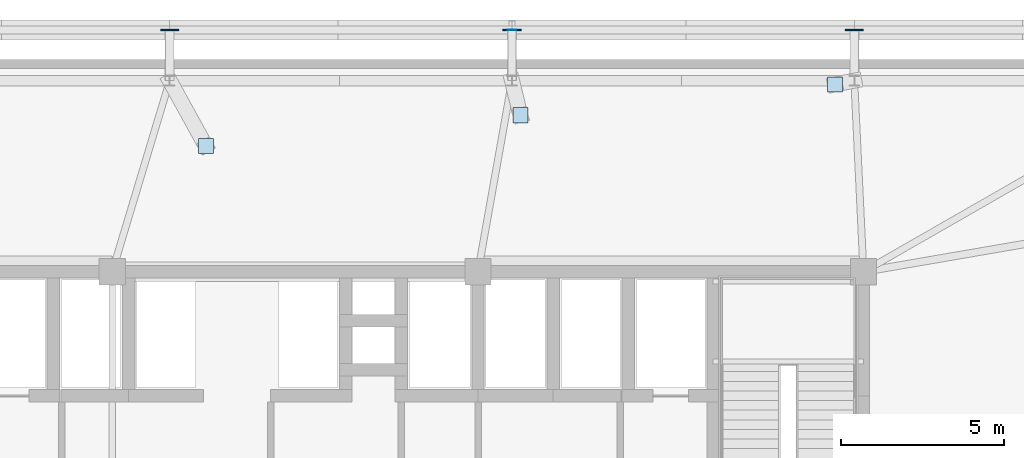
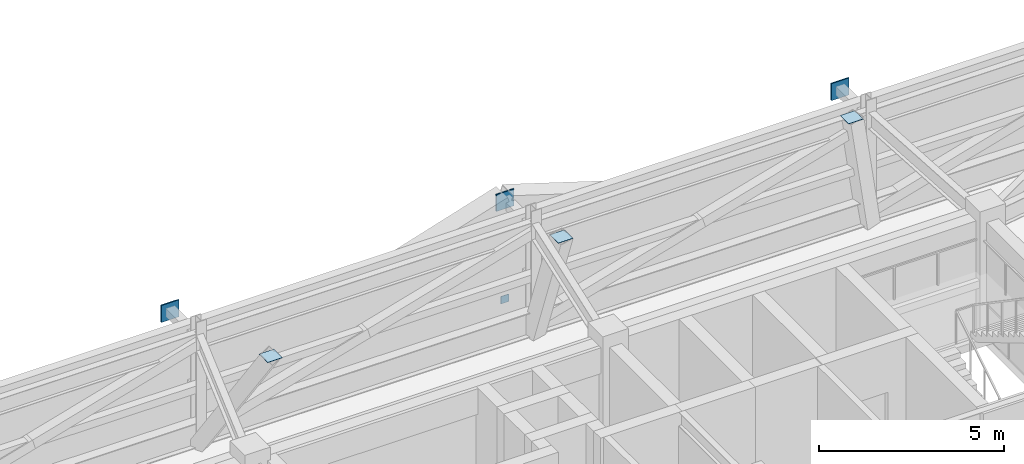
# One storey, part 19 of 24: 7 plates.
"""IFC4 building model written with IfcOpenShell, lengths in metres."""

from ifc_helpers import new_model, si_unit, direction, frame, origin, origin_2d, place, context, subcontext, project, spatial, rectangle, extrude, source, transform, mapped, material, layer, layer_set, type_object, element, save


model = new_model("IFC4")

# Units and contexts
model_context = context("Model", 3, precision=1e-05, world=origin(), true_north=direction((0.0, 1.0)))
body_context = subcontext(model_context, "Body", "Model", "MODEL_VIEW")
ifc_project = project(units=[si_unit("LENGTHUNIT", "METRE"), si_unit("AREAUNIT", "SQUARE_METRE"), si_unit("VOLUMEUNIT", "CUBIC_METRE"), si_unit("PLANEANGLEUNIT", "RADIAN"), si_unit("MASSUNIT", "GRAM", prefix="KILO")], contexts=[model_context])

# Site, building, storey
site_placement = place(None, origin())
site = spatial("IfcSite", under=ifc_project, at=site_placement, CompositionType="ELEMENT")
building_placement = place(site_placement, origin())
building = spatial("IfcBuilding", under=site, at=building_placement, Name="Taldren Reach Tower", CompositionType="ELEMENT")
storey_placement = place(building_placement, frame((0.0, 0.0, 60.89990234375)))
storey = spatial("IfcBuildingStorey", under=building, at=storey_placement, Name="L18", CompositionType="ELEMENT", Elevation=60.89990234375)

# Plates
ifc_material_1 = material(Name="Steel Gr 450 (C450L0)", Category="steel")
ifc_layer_1 = layer(ifc_material_1, 0.0400390625)
ifc_layer_set_1 = layer_set([ifc_layer_1], Name="Steel Gr 450 (C450L0)")
plate_type_1 = type_object("IfcPlateType", Name="PL-GUSSET-40", PredefinedType="SHEET", material=ifc_layer_set_1)
shared_shape_1 = source(origin(), body_context, "Body", "SweptSolid", [
    extrude(rectangle(XDim=0.56005859375, YDim=0.0400390625, at=origin_2d()), origin(), (0.0, 0.0, 1.0), 0.56005859375),
])
for number, where, z_axis, x_axis, name in (
    (1, (29.760009765625, 39.39990234375, 3.219970703125), (0.0, 0.0, 1.0), (1.0, 0.0, 0.0), "Exoskeleton star-node gusset plate B1-N3 L18"),
    (2, (40.239990234375, 39.39990234375, 3.219970703125), (0.0, 0.0, 1.0), (1.0, 0.0, 0.0), "Exoskeleton star-node gusset plate B1-N4 L18"),
    (3, (50.719970703125, 39.39990234375, 3.219970703125), (0.0, 0.0, 1.0), (1.0, 0.0, 0.0), "Exoskeleton star-node gusset plate B1-N5 L18"),
):
    element("IfcPlate", number, at=place(storey_placement, frame(where, z_axis=z_axis, x_axis=x_axis)), inside=storey, type_object=plate_type_1, Name=name, PredefinedType="SHEET", context=body_context, shape_type="MappedRepresentation", body=[
        mapped(shared_shape_1, transform((0.0, 0.0, 0.0), scale=1.0)),
    ])
ifc_material_2 = material(Name="Steel Gr 350 (C350L0)", Category="steel")
ifc_layer_2 = layer(ifc_material_2, 0.011962890625)
ifc_layer_set_2 = layer_set([ifc_layer_2], Name="Steel Gr 350 (C350L0)")
plate_type_2 = type_object("IfcPlateType", Name="PL-CAP-250", PredefinedType="SHEET", material=ifc_layer_set_2)
shared_shape_2 = source(origin(), body_context, "Body", "SweptSolid", [
    extrude(rectangle(XDim=0.25, YDim=0.011962890625, at=origin_2d()), origin(), (0.0, 0.0, 1.0), 0.25),
])
plate_placement = place(storey_placement, frame((40.239990234375, 39.406005859375, 0.09521484375), z_axis=(0.0, 0.0, 1.0), x_axis=(1.0, 0.0, 0.0)))
element("IfcPlate", 4, at=plate_placement, inside=storey, type_object=plate_type_2, Name="Tie strut end cap plate B1-N4 L18", PredefinedType="SHEET", context=body_context, shape_type="MappedRepresentation", body=[
    mapped(shared_shape_2, transform((0.0, 0.0, 0.0), scale=1.0)),
])
ifc_layer_3 = layer(ifc_material_1, 0.011962890625)
ifc_layer_set_3 = layer_set([ifc_layer_3], Name="Steel Gr 450 (C450L0)")
plate_type_3 = type_object("IfcPlateType", Name="PL-CAP-460", PredefinedType="SHEET", material=ifc_layer_set_3)
shared_shape_3 = source(origin(), body_context, "Body", "SweptSolid", [
    extrude(rectangle(XDim=0.4599609375, YDim=0.4599609375, at=origin_2d()), origin(), (0.0, 0.0, 1.0), 0.011962890625),
])
for number, where, z_axis, x_axis, name in (
    (5, (30.864501953125, 35.84619140625, 3.76806640625), (0.0, 0.0, 1.0), (1.0, 0.0, 0.0), "Transfer strut end cap plate TS-B2-N3 L18"),
    (6, (40.498291015625, 36.790771484375, 3.76806640625), (0.0, 0.0, 1.0), (1.0, 0.0, 0.0), "Transfer strut end cap plate TS-B2-N4 L18"),
    (7, (50.132080078125, 37.7353515625, 3.76806640625), (0.0, 0.0, 1.0), (1.0, 0.0, 0.0), "Transfer strut end cap plate TS-B2-N5 L18"),
):
    element("IfcPlate", number, at=place(storey_placement, frame(where, z_axis=z_axis, x_axis=x_axis)), inside=storey, type_object=plate_type_3, Name=name, PredefinedType="SHEET", context=body_context, shape_type="MappedRepresentation", body=[
        mapped(shared_shape_3, transform((0.0, 0.0, 0.0), scale=1.0)),
    ])

save(model, "model.ifc")
